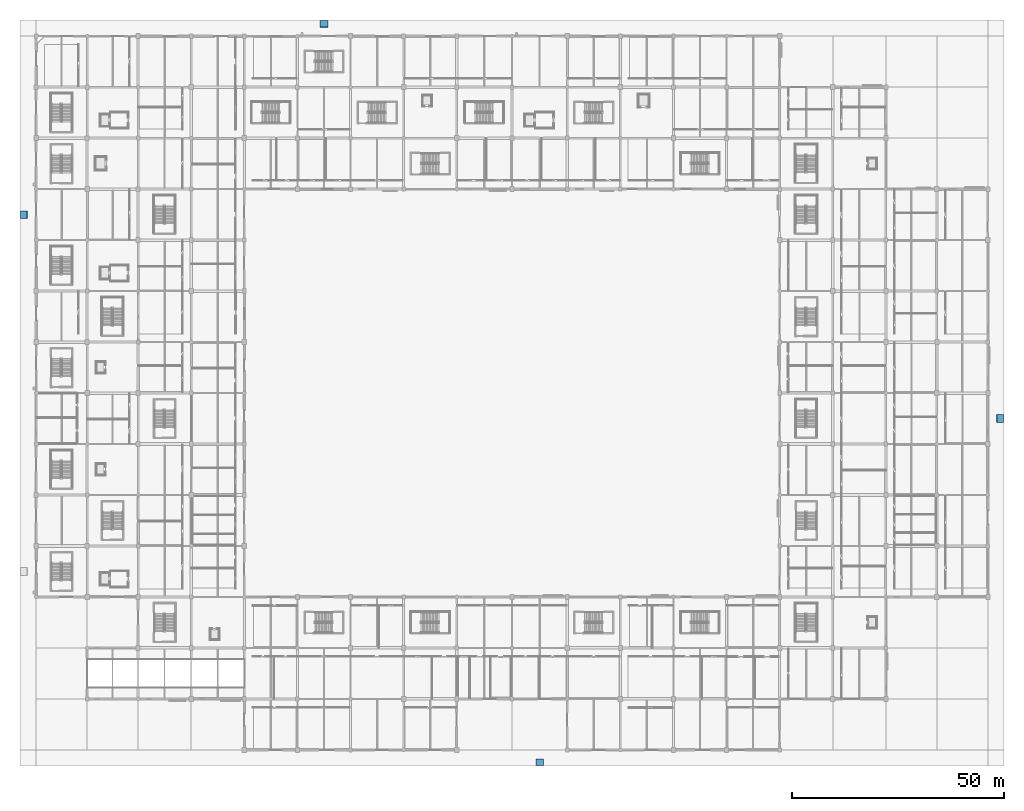
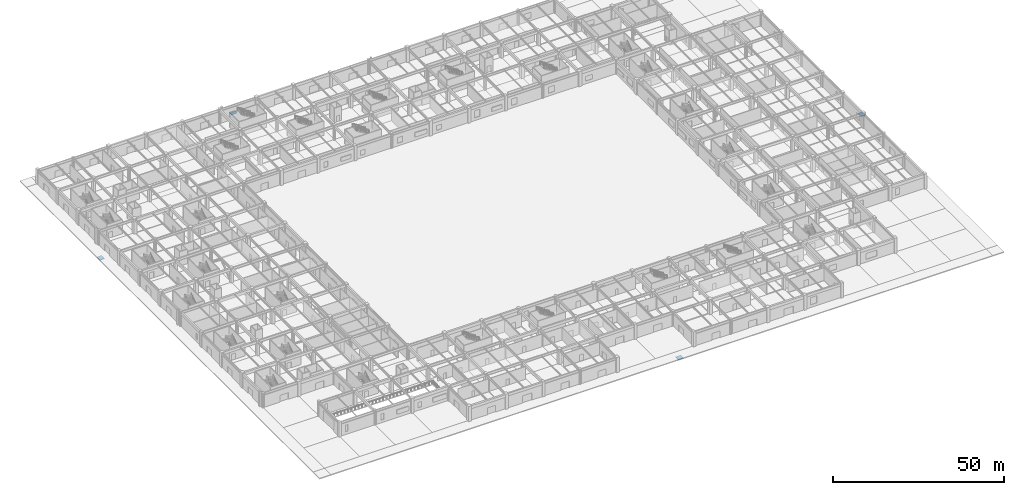
# One storey, part 38 of 69: 4 ramp flights, 4 elements without a shape of their own.
"""IFC4 building model written with IfcOpenShell, lengths in metres."""

import ifcopenshell
import ifcopenshell.guid

model = None  # the IFC model being written
_history = None  # IfcOwnerHistory: only IFC2X3 demands one
_inside = {}  # id of a spatial element -> (the spatial element, [elements in it])
_under = {}  # id of a project, library or spatial element -> (it, [spatial elements below it])
_declared = {}  # id of a project -> (the project, [libraries it declares])
_typed = {}  # id of a type object -> (the type object, [elements of that type])
_made_of = {}  # id of a material, layer set ... -> (it, [elements and type objects made of it])


def new_model(schema):
    """Start an empty IFC model of exactly this schema.

    Asked for "IFC4X3", IfcOpenShell would pick the latest addendum, in which some entities
    have other attributes; the version numbers below select the first issue.
    IFC2X3 requires an IfcOwnerHistory on every rooted entity: one is made here for all.
    """
    global model, _history
    if schema == "IFC4X3":
        model = ifcopenshell.file(schema_version=(4, 3, 0, 0))
    else:
        model = ifcopenshell.file(schema=schema)
    _inside.clear()
    _under.clear()
    _declared.clear()
    _typed.clear()
    _made_of.clear()
    _history = None
    if model.schema == "IFC2X3":
        org = make("IfcOrganization", Name="unknown")
        user = make(
            "IfcPersonAndOrganization",
            ThePerson=make("IfcPerson", FamilyName="unknown"),
            TheOrganization=org,
        )
        app = make(
            "IfcApplication",
            ApplicationDeveloper=org,
            Version="unknown",
            ApplicationFullName="unknown",
            ApplicationIdentifier="unknown",
        )
        _history = make(
            "IfcOwnerHistory",
            OwningUser=user,
            OwningApplication=app,
            ChangeAction="ADDED",
            CreationDate=0,
        )
    return model


def make(cls, **values):
    """One entity of the class cls with the attributes given. An attribute that is None is left unset."""
    return model.create_entity(
        cls, **{name: value for name, value in values.items() if value is not None}
    )


def rooted(cls, **values):
    """An entity with a GlobalId (a new one), such as an element, a storey or a relation."""
    return make(cls, GlobalId=ifcopenshell.guid.new(), OwnerHistory=_history, **values)


def si_unit(unit_type, name, prefix=None):
    """IfcSIUnit, for example si_unit("LENGTHUNIT", "METRE", prefix="MILLI")."""
    return make("IfcSIUnit", UnitType=unit_type, Prefix=prefix, Name=name)


def assignment(units):
    """IfcUnitAssignment: the units of a project."""
    return None if units is None else make("IfcUnitAssignment", Units=units)


def point(xyz):
    """IfcCartesianPoint."""
    return None if xyz is None else make("IfcCartesianPoint", Coordinates=xyz)


def direction(xyz):
    """IfcDirection."""
    return None if xyz is None else make("IfcDirection", DirectionRatios=xyz)


def frame(location, z_axis=None, x_axis=None):
    """IfcAxis2Placement3D, a coordinate frame: its origin and axes. An axis left out is left unset."""
    return make(
        "IfcAxis2Placement3D",
        Location=point(location),
        Axis=direction(z_axis),
        RefDirection=direction(x_axis),
    )


def origin():
    """The frame at (0, 0, 0) with its axes left unset."""
    return frame((0.0, 0.0, 0.0))


def place(relative_to, where):
    """IfcLocalPlacement: puts the frame where relative to a parent placement (None: the world)."""
    return make(
        "IfcLocalPlacement", PlacementRelTo=relative_to, RelativePlacement=where
    )


def context(
    kind, dimensions, precision=None, world=None, true_north=None, identifier=None
):
    """IfcGeometricRepresentationContext, for example the 3D "Model" context."""
    return make(
        "IfcGeometricRepresentationContext",
        ContextIdentifier=identifier,
        ContextType=kind,
        CoordinateSpaceDimension=dimensions,
        Precision=precision,
        WorldCoordinateSystem=world,
        TrueNorth=true_north,
    )


def subcontext(parent, identifier, kind, view, scale=None):
    """IfcGeometricRepresentationSubContext, for example "Body" below "Model"."""
    return make(
        "IfcGeometricRepresentationSubContext",
        ContextIdentifier=identifier,
        ContextType=kind,
        ParentContext=parent,
        TargetScale=scale,
        TargetView=view,
    )


def project(units=None, contexts=None):
    """IfcProject with its units and contexts."""
    return rooted(
        "IfcProject",
        Name="project",
        RepresentationContexts=contexts,
        UnitsInContext=assignment(units),
    )


def spatial(cls, under=None, at=None, **own):
    """A site, building, storey or space (cls), placed at a placement, below another one or the project."""
    s = rooted(cls, ObjectPlacement=at, **own)
    if under is not None:
        _under.setdefault(under.id(), (under, []))[1].append(s)
    return s


def polyline(points):
    """IfcPolyline through the points."""
    return make("IfcPolyline", Points=[point(p) for p in points])


def outline(outer, holes=None, kind="AREA"):
    """IfcArbitraryClosedProfileDef: a profile drawn as a closed curve; with holes, ...WithVoids."""
    if holes is None:
        return make("IfcArbitraryClosedProfileDef", ProfileType=kind, OuterCurve=outer)
    return make(
        "IfcArbitraryProfileDefWithVoids",
        ProfileType=kind,
        OuterCurve=outer,
        InnerCurves=holes,
    )


def extrude(swept, where, along, depth):
    """IfcExtrudedAreaSolid: the profile swept, set in the frame where, extruded along a direction by depth."""
    return make(
        "IfcExtrudedAreaSolid",
        SweptArea=swept,
        Position=where,
        ExtrudedDirection=direction(along),
        Depth=depth,
    )


def shape(context_of_items, identifier, shape_type, items):
    """IfcShapeRepresentation: the items that make up one representation, for example the "Body"."""
    return make(
        "IfcShapeRepresentation",
        ContextOfItems=context_of_items,
        RepresentationIdentifier=identifier,
        RepresentationType=shape_type,
        Items=items,
    )


def material(Name=None, Category=None):
    """IfcMaterial."""
    return make("IfcMaterial", Name=Name, Category=Category)


def layer(
    of_material, thickness, ventilated=None, Name=None, Category=None, Priority=None
):
    """IfcMaterialLayer: one layer of a wall or slab, of a material (None: an air gap)."""
    return make(
        "IfcMaterialLayer",
        Material=of_material,
        LayerThickness=thickness,
        IsVentilated=ventilated,
        Name=Name,
        Category=Category,
        Priority=Priority,
    )


def layer_set(layers, Name=None):
    """IfcMaterialLayerSet."""
    return make("IfcMaterialLayerSet", MaterialLayers=layers, LayerSetName=Name)


def made_of(thing, what):
    """Note that an element or type object is made of a material, layer set ...; save() writes the relation."""
    if what is not None:
        _made_of.setdefault(what.id(), (what, []))[1].append(thing)
    return thing


def type_object(cls, material=None, **own):
    """A type object (cls), such as IfcWallType, which elements share."""
    return made_of(rooted(cls, **own), material)


def element(
    cls,
    number,
    at=None,
    inside=None,
    cuts=None,
    type_object=None,
    material=None,
    context=None,
    identifier="Body",
    shape_type=None,
    held_by="IfcProductDefinitionShape",
    body=None,
    shapes=None,
    **own,
):
    """One element of the class cls, such as IfcWall. Its Tag is "e" and its number.

    at: its placement. inside: the storey or other place that contains it. cuts: it is an
    opening in that element (IfcRelVoidsElement). A single representation is given by context,
    identifier, shape_type and body (its items); several are given by shapes. held_by: the class
    of the entity that holds the representations. save() writes the other relations.
    """
    e = rooted(cls, Tag="e%d" % number, ObjectPlacement=at, **own)
    if body is not None:
        shapes = [shape(context, identifier, shape_type, body)]
    if shapes is not None:
        e.Representation = make(held_by, Representations=shapes)
    if inside is not None:
        _inside.setdefault(inside.id(), (inside, []))[1].append(e)
    if cuts is not None:
        rooted(
            "IfcRelVoidsElement", RelatingBuildingElement=cuts, RelatedOpeningElement=e
        )
    if type_object is not None:
        _typed.setdefault(type_object.id(), (type_object, []))[1].append(e)
    return made_of(e, material)


def aggregate(whole, parts):
    """IfcRelAggregates: a whole, such as a stair, and the parts it consists of."""
    return rooted("IfcRelAggregates", RelatingObject=whole, RelatedObjects=parts)


def save(model, path):
    """Write the relations noted so far, then the file.

    IfcRelAggregates (storeys below a building ...), IfcRelContainedInSpatialStructure (elements
    in a storey), IfcRelDefinesByType, IfcRelAssociatesMaterial and IfcRelDeclares: one each for
    every whole, place, type object, material and project.
    """
    for whole, parts in _under.values():
        aggregate(whole, parts)
    for where, things in _inside.values():
        rooted(
            "IfcRelContainedInSpatialStructure",
            RelatedElements=things,
            RelatingStructure=where,
        )
    for kind, things in _typed.values():
        rooted("IfcRelDefinesByType", RelatedObjects=things, RelatingType=kind)
    for what, things in _made_of.values():
        rooted("IfcRelAssociatesMaterial", RelatedObjects=things, RelatingMaterial=what)
    for by, libraries in _declared.values():
        rooted("IfcRelDeclares", RelatingContext=by, RelatedDefinitions=libraries)
    model.write(path)


model = new_model("IFC4")

# Units and contexts
model_context = context("Model", 3, precision=1e-05, world=origin(), true_north=direction((0.0, 1.0)))
body_context = subcontext(model_context, "Body", "Model", "MODEL_VIEW")
ifc_project = project(units=[si_unit("LENGTHUNIT", "METRE"), si_unit("AREAUNIT", "SQUARE_METRE"), si_unit("VOLUMEUNIT", "CUBIC_METRE"), si_unit("PLANEANGLEUNIT", "RADIAN"), si_unit("MASSUNIT", "GRAM", prefix="KILO")], contexts=[model_context])

# Site, building, storey
site_placement = place(None, origin())
site = spatial("IfcSite", under=ifc_project, at=site_placement, CompositionType="ELEMENT")
building_placement = place(site_placement, origin())
building = spatial("IfcBuilding", under=site, at=building_placement, Name="Kazenohara Klinker Stadium", CompositionType="ELEMENT")
storey_placement = place(building_placement, origin())
storey = spatial("IfcBuildingStorey", under=building, at=storey_placement, Name="L00", CompositionType="ELEMENT", Elevation=0.0)

# Ramp, ramp flight
ifc_material = material(Name="Concrete C40/50", Category="concrete")
ramp_type = type_object("IfcRampType", Name="RMP-ACC-1800", PredefinedType="STRAIGHT_RUN_RAMP", material=ifc_material)
ramp_1_placement = place(storey_placement, origin())
ramp_1 = element("IfcRamp", 1, at=ramp_1_placement, inside=storey, type_object=ramp_type, Name="Barrier-free plaza threshold ramp RA01-W2", PredefinedType="STRAIGHT_RUN_RAMP")
ifc_layer = layer(ifc_material, 0.179931640625)
ifc_layer_set = layer_set([ifc_layer], Name="Concrete C40/50")
ramp_flight_type = type_object("IfcRampFlightType", Name="RFL-ACC-1800", PredefinedType="STRAIGHT", material=ifc_layer_set)
ramp_flight_1_placement = place(storey_placement, frame((-3.699951171875, 125.10009765625, -0.10009765625), z_axis=(-0.062444659766, 0.0, 0.998048427917), x_axis=(0.998048427917, 0.0, 0.062444659766)))
ramp_flight_1 = element("IfcRampFlight", 2, at=ramp_flight_1_placement, type_object=ramp_flight_type, Name="Barrier-free ramp flight RAF1-W2 (1:15 slope)", PredefinedType="STRAIGHT", context=body_context, shape_type="SweptSolid", body=[
    extrude(outline(polyline([(0.0, 0.0), (1.6029818502542115, 0.0), (1.6029818502542115, 1.7998046875), (0.0, 1.7998046875), (0.0, 0.0)])), origin(), (0.0, 0.0, -1.0), 0.179931640625),
])
aggregate(ramp_1, [ramp_flight_1])

ramp_2_placement = place(storey_placement, origin())
ramp_2 = element("IfcRamp", 3, at=ramp_2_placement, inside=storey, type_object=ramp_type, Name="Barrier-free plaza threshold ramp RA01-N1", PredefinedType="STRAIGHT_RUN_RAMP")
ramp_flight_2_placement = place(storey_placement, frame((66.85009765625, 171.699951171875, -0.10009765625), z_axis=(0.0, 0.062444659766, 0.998048427917), x_axis=(0.0, -0.998048427917, 0.062444659766)))
ramp_flight_2 = element("IfcRampFlight", 4, at=ramp_flight_2_placement, type_object=ramp_flight_type, Name="Barrier-free ramp flight RAF1-N1 (1:15 slope)", PredefinedType="STRAIGHT", context=body_context, shape_type="SweptSolid", body=[
    extrude(outline(polyline([(0.0, 0.0), (1.6029818502542115, 0.0), (1.6029818502542115, 1.7998046875), (0.0, 1.7998046875), (0.0, 0.0)])), origin(), (0.0, 0.0, -1.0), 0.179931640625),
])
aggregate(ramp_2, [ramp_flight_2])

ramp_3_placement = place(storey_placement, origin())
ramp_3 = element("IfcRamp", 5, at=ramp_3_placement, inside=storey, type_object=ramp_type, Name="Barrier-free plaza threshold ramp RA01-E1", PredefinedType="STRAIGHT_RUN_RAMP")
ramp_flight_3_placement = place(storey_placement, frame((227.699951171875, 77.10009765625, -0.10009765625), z_axis=(0.062444659766, 0.0, 0.998048427917), x_axis=(-0.998048427917, 0.0, 0.062444659766)))
ramp_flight_3 = element("IfcRampFlight", 6, at=ramp_flight_3_placement, type_object=ramp_flight_type, Name="Barrier-free ramp flight RAF1-E1 (1:15 slope)", PredefinedType="STRAIGHT", context=body_context, shape_type="SweptSolid", body=[
    extrude(outline(polyline([(0.0, 0.0), (1.6029818502542115, 0.0), (1.6029818502542115, -1.7998046875), (0.0, -1.7998046875), (0.0, 0.0)])), origin(), (0.0, 0.0, -1.0), 0.179931640625),
])
aggregate(ramp_3, [ramp_flight_3])

ramp_4_placement = place(storey_placement, origin())
ramp_4 = element("IfcRamp", 7, at=ramp_4_placement, inside=storey, type_object=ramp_type, Name="Barrier-free plaza threshold ramp RA01-S1", PredefinedType="STRAIGHT_RUN_RAMP")
ramp_flight_4_placement = place(storey_placement, frame((117.60009765625, -3.699951171875, -0.10009765625), z_axis=(0.0, -0.062444659766, 0.998048427917), x_axis=(0.0, 0.998048427917, 0.062444659766)))
ramp_flight_4 = element("IfcRampFlight", 8, at=ramp_flight_4_placement, type_object=ramp_flight_type, Name="Barrier-free ramp flight RAF1-S1 (1:15 slope)", PredefinedType="STRAIGHT", context=body_context, shape_type="SweptSolid", body=[
    extrude(outline(polyline([(0.0, 0.0), (1.6029818502542115, 0.0), (1.6029818502542115, -1.7998046875), (0.0, -1.7998046875), (0.0, 0.0)])), origin(), (0.0, 0.0, -1.0), 0.179931640625),
])
aggregate(ramp_4, [ramp_flight_4])

save(model, "model.ifc")
